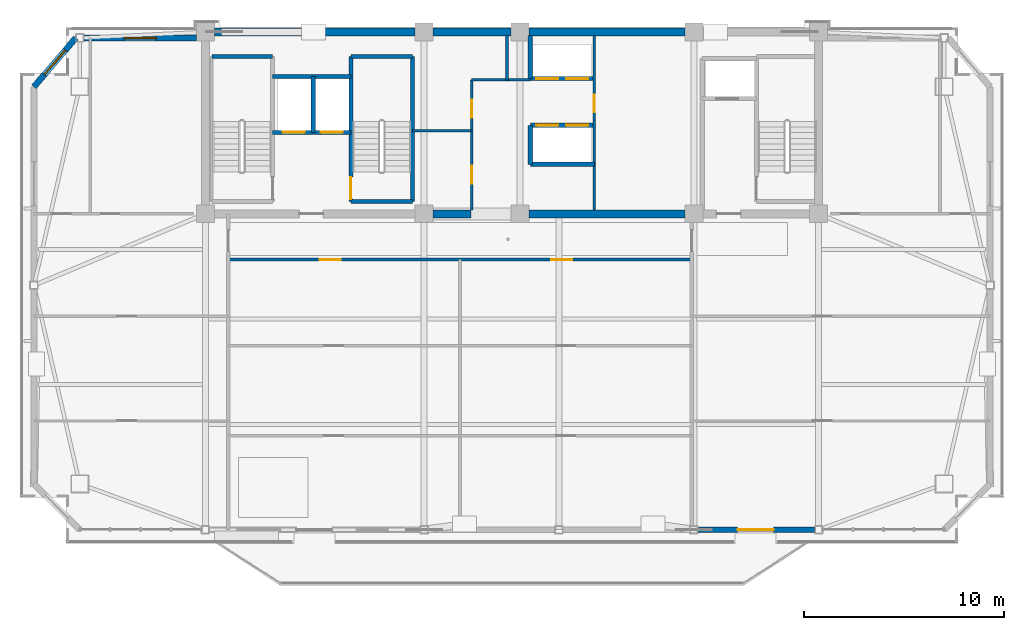
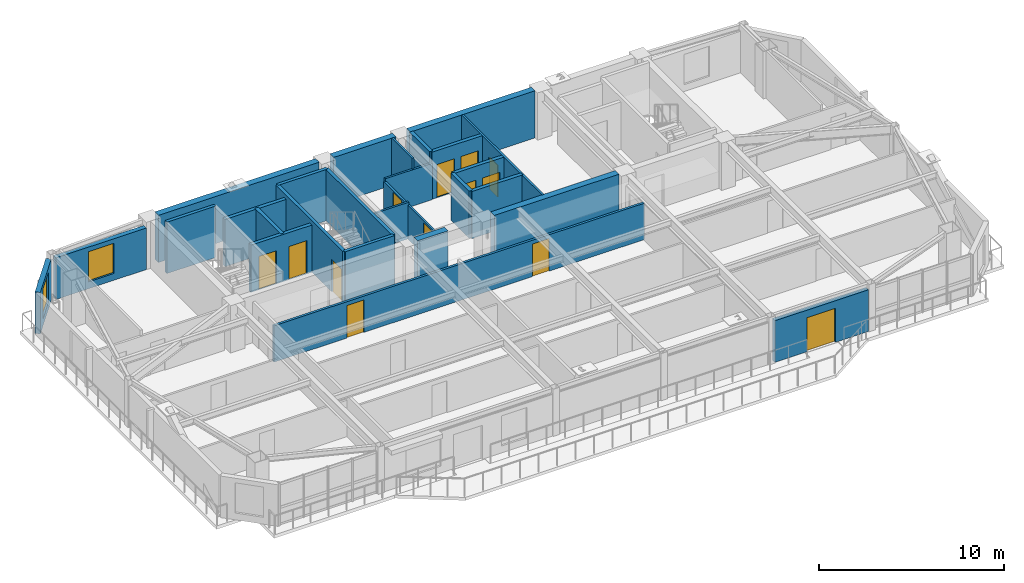
# One storey, part 7 of 13: 27 walls, 13 doors, 2 windows, 15 openings.
"""IFC4 building model written with IfcOpenShell, lengths in metres."""

from ifc_helpers import new_model, si_unit, direction, frame, frame_2d, origin, place, context, subcontext, project, spatial, rectangle, extrude, source, transform, mapped, material, layer, layer_set, type_object, element, fill, save


model = new_model("IFC4")

# Units and contexts
model_context = context("Model", 3, precision=1e-05, world=origin(), true_north=direction((0.0, 1.0)))
body_context = subcontext(model_context, "Body", "Model", "MODEL_VIEW")
ifc_project = project(units=[si_unit("LENGTHUNIT", "METRE"), si_unit("AREAUNIT", "SQUARE_METRE"), si_unit("VOLUMEUNIT", "CUBIC_METRE"), si_unit("PLANEANGLEUNIT", "RADIAN"), si_unit("MASSUNIT", "GRAM", prefix="KILO")], contexts=[model_context])

# Site, building, storey
site_placement = place(None, origin())
site = spatial("IfcSite", under=ifc_project, at=site_placement, CompositionType="ELEMENT")
building_placement = place(site_placement, origin())
building = spatial("IfcBuilding", under=site, at=building_placement, Name="Giltprow Tower", CompositionType="ELEMENT")
storey_placement = place(building_placement, frame((0.0, 0.0, 324.39990234375)))
storey = spatial("IfcBuildingStorey", under=building, at=storey_placement, Name="L84", CompositionType="ELEMENT", Elevation=324.39990234375)

# Wall, opening, window
ifc_material_1 = material(Name="Precast concrete C40", Category="concrete")
ifc_layer_1 = layer(ifc_material_1, 0.300048828125, Name="Precast concrete C40")
ifc_layer_set_1 = layer_set([ifc_layer_1], Name="Precast concrete C40")
wall_type_1 = type_object("IfcWallType", Name="EW-NOTCH-CHAMFER-300", PredefinedType="SOLIDWALL", material=ifc_layer_set_1)
wall_1_placement = place(storey_placement, frame((13.362060546875, 46.25, 0.0), z_axis=(0.0, 0.0, 1.0), x_axis=(-0.650610025707, -0.759412005732, 0.0)))
wall_1 = element("IfcWall", 1, at=wall_1_placement, inside=storey, type_object=wall_type_1, Name="L84 Corner Notch Wall NW", PredefinedType="SOLIDWALL", context=body_context, shape_type="SweptSolid", body=[
    extrude(rectangle(XDim=3.215576171875, YDim=0.300048828125, at=frame_2d((1.60791015625, 0.0))), origin(), (0.0, 0.0, 1.0), 2.75),
])
opening_1_placement = place(wall_1_placement, frame((0.80810546875, 0.0, 0.449951171875)))
opening_1 = element("IfcOpeningElement", 2, at=opening_1_placement, cuts=wall_1, Name="Opening WN17", PredefinedType="OPENING", context=body_context, shape_type="SweptSolid", body=[
    extrude(rectangle(XDim=1.60009765625, YDim=2.0, at=frame_2d((0.800048828125, 1.0))), frame((0.0, 0.159912109375, 0.0), z_axis=(0.0, -1.0, 0.0), x_axis=(1.0, 0.0, 0.0)), (0.0, 0.0, 1.0), 0.320068359375),
])
ifc_material_2 = material(Name="Insulated glass", Category="glass")
window_type = type_object("IfcWindowType", Name="WN-COR-1600x2000", PartitioningType="SINGLE_PANEL", PredefinedType="WINDOW", material=ifc_material_2)
shared_shape_1 = source(origin(), body_context, "Body", "SweptSolid", [
    extrude(rectangle(XDim=1.60009765625, YDim=2.0, at=frame_2d((0.800048828125, 1.0))), frame((0.0, 0.030029296875, 0.0), z_axis=(0.0, -1.0, 0.0), x_axis=(1.0, 0.0, 0.0)), (0.0, 0.0, 1.0), 0.06005859375),
])
window_1_placement = place(opening_1_placement, origin())
window_1 = element("IfcWindow", 3, at=window_1_placement, inside=storey, type_object=window_type, Name="L84 Corner Notch Window NW", OverallHeight=2.0, OverallWidth=1.60009765625, PartitioningType="SINGLE_PANEL", PredefinedType="WINDOW", context=body_context, shape_type="MappedRepresentation", body=[
    mapped(shared_shape_1, transform((0.0, 0.0, 0.0), x_axis=(1.0, 0.0, 0.0), y_axis=(0.0, 1.0, 0.0), z_axis=(0.0, 0.0, 1.0), scale=1.0)),
])
fill(opening_1, window_1)

# Wall, opening, door
ifc_layer_2 = layer(ifc_material_1, 0.280029296875, Name="Precast concrete C40")
ifc_layer_set_2 = layer_set([ifc_layer_2], Name="Precast concrete C40")
wall_type_2 = type_object("IfcWallType", Name="EW-TOW-BRONZE-280", PredefinedType="SOLIDWALL", material=ifc_layer_set_2)
wall_2_placement = place(storey_placement, frame((44.5, 21.635986328125, 0.0), z_axis=(0.0, 0.0, 1.0), x_axis=(1.0, 0.0, 0.0)))
wall_2 = element("IfcWall", 4, at=wall_2_placement, inside=storey, type_object=wall_type_2, Name="L84 South Expressed Frame Wall 5", PredefinedType="SOLIDWALL", context=body_context, shape_type="SweptSolid", body=[
    extrude(rectangle(XDim=5.85009765625, YDim=0.280029296875, at=frame_2d((2.925048828125, 0.0))), origin(), (0.0, 0.0, 1.0), 2.75),
])
opening_2_placement = place(wall_2_placement, frame((2.0, 0.0, 0.0)))
opening_2 = element("IfcOpeningElement", 5, at=opening_2_placement, cuts=wall_2, Name="Opening ED25", PredefinedType="OPENING", context=body_context, shape_type="SweptSolid", body=[
    extrude(rectangle(XDim=1.800048828125, YDim=2.25, at=frame_2d((0.89990234375, 1.125))), frame((0.0, 0.14990234375, 0.0), z_axis=(0.0, -1.0, 0.0), x_axis=(1.0, 0.0, 0.0)), (0.0, 0.0, 1.0), 0.300048828125),
])
ifc_material_3 = material(Name="Anodized bronze and glass", Category="glass")
door_type_1 = type_object("IfcDoorType", Name="DR-BALC-SLIDE-1800", OperationType="SLIDING_TO_LEFT", PredefinedType="DOOR", material=ifc_material_3)
shared_shape_2 = source(origin(), body_context, "Body", "SweptSolid", [
    extrude(rectangle(XDim=1.800048828125, YDim=2.25, at=frame_2d((0.89990234375, 1.125))), frame((0.0, 0.02490234375, 0.0), z_axis=(0.0, -1.0, 0.0), x_axis=(1.0, 0.0, 0.0)), (0.0, 0.0, 1.0), 0.050048828125),
])
door_1_placement = place(opening_2_placement, origin())
door_1 = element("IfcDoor", 6, at=door_1_placement, inside=storey, type_object=door_type_1, Name="L84 Waterfront Balcony Sliding Door 2", OperationType="SLIDING_TO_LEFT", OverallHeight=2.25, OverallWidth=1.800048828125, PredefinedType="DOOR", context=body_context, shape_type="MappedRepresentation", body=[
    mapped(shared_shape_2, transform((0.0, 0.0, 0.0), x_axis=(1.0, 0.0, 0.0), y_axis=(0.0, 1.0, 0.0), z_axis=(0.0, 0.0, 1.0), scale=1.0)),
])
fill(opening_2, door_1)

# Wall, opening, window
wall_3_placement = place(storey_placement, frame((13.761962890625, 46.25, 0.0), z_axis=(0.0, 0.0, 1.0), x_axis=(1.0, 0.0, 0.0)))
wall_3 = element("IfcWall", 7, at=wall_3_placement, inside=storey, type_object=wall_type_2, Name="L84 North-West Wing Wall", PredefinedType="SOLIDWALL", context=body_context, shape_type="SweptSolid", body=[
    extrude(rectangle(XDim=5.637939453125, YDim=0.280029296875, at=frame_2d((2.81884765625, 0.0))), origin(), (0.0, 0.0, 1.0), 2.75),
])
opening_3_placement = place(wall_3_placement, frame((2.01904296875, 0.0, 0.449951171875)))
opening_3 = element("IfcOpeningElement", 8, at=opening_3_placement, cuts=wall_3, Name="Opening WN17", PredefinedType="OPENING", context=body_context, shape_type="SweptSolid", body=[
    extrude(rectangle(XDim=1.60009765625, YDim=2.0, at=frame_2d((0.800048828125, 1.0))), frame((0.0, 0.14990234375, 0.0), z_axis=(0.0, -1.0, 0.0), x_axis=(1.0, 0.0, 0.0)), (0.0, 0.0, 1.0), 0.300048828125),
])
window_2_placement = place(opening_3_placement, origin())
window_2 = element("IfcWindow", 9, at=window_2_placement, inside=storey, type_object=window_type, Name="L84 North-West Window", OverallHeight=2.0, OverallWidth=1.60009765625, PartitioningType="SINGLE_PANEL", PredefinedType="WINDOW", context=body_context, shape_type="MappedRepresentation", body=[
    mapped(shared_shape_1, transform((0.0, 0.0, 0.0), x_axis=(1.0, 0.0, 0.0), y_axis=(0.0, 1.0, 0.0), z_axis=(0.0, 0.0, 1.0), scale=1.0)),
])
fill(opening_3, window_2)

# Wall, openings, doors
ifc_material_4 = material(Name="Gypsum stud partition", Category="gypsum")
ifc_layer_3 = layer(ifc_material_4, 0.14990234375, Name="Gypsum stud partition")
ifc_layer_set_3 = layer_set([ifc_layer_3], Name="Gypsum stud partition")
wall_type_3 = type_object("IfcWallType", Name="IW-CORR-150", PredefinedType="PARTITIONING", material=ifc_layer_set_3)
wall_4_placement = place(storey_placement, frame((21.0, 35.14990234375, 0.0), z_axis=(0.0, 0.0, 1.0), x_axis=(1.0, 0.0, 0.0)))
wall_4 = element("IfcWall", 10, at=wall_4_placement, inside=storey, type_object=wall_type_3, Name="L84 Residence Gallery Corridor Wall", PredefinedType="PARTITIONING", context=body_context, shape_type="SweptSolid", body=[
    extrude(rectangle(XDim=23.199951171875, YDim=0.14990234375, at=frame_2d((11.60009765625, 0.0))), origin(), (0.0, 0.0, 1.0), 2.405029296875),
])
opening_4_placement = place(wall_4_placement, frame((4.576904296875, 0.0, 0.0)))
opening_4 = element("IfcOpeningElement", 11, at=opening_4_placement, cuts=wall_4, Name="Opening ID31", PredefinedType="OPENING", context=body_context, shape_type="SweptSolid", body=[
    extrude(rectangle(XDim=1.050048828125, YDim=2.14990234375, at=frame_2d((0.52490234375, 1.074951171875))), frame((0.0, 0.0849609375, 0.0), z_axis=(0.0, -1.0, 0.0), x_axis=(1.0, 0.0, 0.0)), (0.0, 0.0, 1.0), 0.169921875),
])
opening_5_placement = place(wall_4_placement, frame((16.177001953125, 0.0, 0.0)))
opening_5 = element("IfcOpeningElement", 12, at=opening_5_placement, cuts=wall_4, Name="Opening ID31", PredefinedType="OPENING", context=body_context, shape_type="SweptSolid", body=[
    extrude(rectangle(XDim=1.050048828125, YDim=2.14990234375, at=frame_2d((0.52490234375, 1.074951171875))), frame((0.0, 0.0849609375, 0.0), z_axis=(0.0, -1.0, 0.0), x_axis=(1.0, 0.0, 0.0)), (0.0, 0.0, 1.0), 0.169921875),
])
ifc_material_5 = material(Name="Engineered timber", Category="wood")
door_type_2 = type_object("IfcDoorType", Name="DR-SUITE-1050", OperationType="SINGLE_SWING_LEFT", PredefinedType="DOOR", material=ifc_material_5)
shared_shape_3 = source(origin(), body_context, "Body", "SweptSolid", [
    extrude(rectangle(XDim=1.050048828125, YDim=2.14990234375, at=frame_2d((0.52490234375, 1.074951171875))), frame((0.0, 0.02490234375, 0.0), z_axis=(0.0, -1.0, 0.0), x_axis=(1.0, 0.0, 0.0)), (0.0, 0.0, 1.0), 0.050048828125),
])
door_2_placement = place(opening_4_placement, origin())
door_2 = element("IfcDoor", 13, at=door_2_placement, inside=storey, type_object=door_type_2, Name="L84 Residents Sky Club Lounge North Door", OperationType="SINGLE_SWING_LEFT", OverallHeight=2.14990234375, OverallWidth=1.050048828125, PredefinedType="DOOR", context=body_context, shape_type="MappedRepresentation", body=[
    mapped(shared_shape_3, transform((0.0, 0.0, 0.0), x_axis=(1.0, 0.0, 0.0), y_axis=(0.0, 1.0, 0.0), z_axis=(0.0, 0.0, 1.0), scale=1.0)),
])
fill(opening_4, door_2)
door_3_placement = place(opening_5_placement, origin())
door_3 = element("IfcDoor", 14, at=door_3_placement, inside=storey, type_object=door_type_2, Name="L84 Residents Sky Club Lounge North Door", OperationType="SINGLE_SWING_RIGHT", OverallHeight=2.14990234375, OverallWidth=1.050048828125, PredefinedType="DOOR", context=body_context, shape_type="MappedRepresentation", body=[
    mapped(shared_shape_3, transform((0.0, 0.0, 0.0), x_axis=(1.0, 0.0, 0.0), y_axis=(0.0, 1.0, 0.0), z_axis=(0.0, 0.0, 1.0), scale=1.0)),
])
fill(opening_5, door_3)

ifc_material_6 = material(Name="Concrete C40", Category="concrete")
ifc_layer_4 = layer(ifc_material_6, 0.219970703125, Name="Concrete C40")
ifc_layer_set_4 = layer_set([ifc_layer_4], Name="Concrete C40")
wall_type_4 = type_object("IfcWallType", Name="IW-SHAFT-220", PredefinedType="SOLIDWALL", material=ifc_layer_set_4)
wall_5_placement = place(storey_placement, frame((23.219970703125, 41.52001953125, 0.0), z_axis=(0.0, 0.0, 1.0), x_axis=(1.0, 0.0, 0.0)))
wall_5 = element("IfcWall", 15, at=wall_5_placement, inside=storey, type_object=wall_type_4, Name="L84 FFL1 and Service Lift Front Wall", PredefinedType="SOLIDWALL", context=body_context, shape_type="SweptSolid", body=[
    extrude(rectangle(XDim=3.919921875, YDim=0.219970703125, at=frame_2d((1.9599609375, 0.0))), origin(), (0.0, 0.0, 1.0), 3.1201171875),
])
opening_6_placement = place(wall_5_placement, frame((0.5, 0.0, 0.0)))
opening_6 = element("IfcOpeningElement", 16, at=opening_6_placement, cuts=wall_5, Name="Opening LD-11", PredefinedType="OPENING", context=body_context, shape_type="SweptSolid", body=[
    extrude(rectangle(XDim=1.10009765625, YDim=2.199951171875, at=frame_2d((0.550048828125, 1.10009765625))), frame((0.0, 0.119873046875, 0.0), z_axis=(0.0, -1.0, 0.0), x_axis=(1.0, 0.0, 0.0)), (0.0, 0.0, 1.0), 0.239990234375),
])
opening_7_placement = place(wall_5_placement, frame((2.39990234375, 0.0, 0.0)))
opening_7 = element("IfcOpeningElement", 17, at=opening_7_placement, cuts=wall_5, Name="Opening LD-11", PredefinedType="OPENING", context=body_context, shape_type="SweptSolid", body=[
    extrude(rectangle(XDim=1.10009765625, YDim=2.199951171875, at=frame_2d((0.550048828125, 1.10009765625))), frame((0.0, 0.119873046875, 0.0), z_axis=(0.0, -1.0, 0.0), x_axis=(1.0, 0.0, 0.0)), (0.0, 0.0, 1.0), 0.239990234375),
])
ifc_material_7 = material(Name="Stainless steel", Category="steel")
door_type_3 = type_object("IfcDoorType", Name="DR-LIFT-LD1100", OperationType="SLIDING_TO_LEFT", PredefinedType="DOOR", material=ifc_material_7)
shared_shape_4 = source(origin(), body_context, "Body", "SweptSolid", [
    extrude(rectangle(XDim=1.10009765625, YDim=2.199951171875, at=frame_2d((0.550048828125, 1.10009765625))), frame((0.0, 0.02490234375, 0.0), z_axis=(0.0, -1.0, 0.0), x_axis=(1.0, 0.0, 0.0)), (0.0, 0.0, 1.0), 0.050048828125),
])
door_4_placement = place(opening_6_placement, origin())
door_4 = element("IfcDoor", 18, at=door_4_placement, inside=storey, type_object=door_type_3, Name="L84 FFL1 Landing Door", OperationType="SLIDING_TO_LEFT", OverallHeight=2.199951171875, OverallWidth=1.10009765625, PredefinedType="DOOR", context=body_context, shape_type="MappedRepresentation", body=[
    mapped(shared_shape_4, transform((0.0, 0.0, 0.0), x_axis=(1.0, 0.0, 0.0), y_axis=(0.0, 1.0, 0.0), z_axis=(0.0, 0.0, 1.0), scale=1.0)),
])
fill(opening_6, door_4)
door_5_placement = place(opening_7_placement, origin())
door_5 = element("IfcDoor", 19, at=door_5_placement, inside=storey, type_object=door_type_3, Name="L84 SVL1 Landing Door", OperationType="SLIDING_TO_LEFT", OverallHeight=2.199951171875, OverallWidth=1.10009765625, PredefinedType="DOOR", context=body_context, shape_type="MappedRepresentation", body=[
    mapped(shared_shape_4, transform((0.0, 0.0, 0.0), x_axis=(1.0, 0.0, 0.0), y_axis=(0.0, 1.0, 0.0), z_axis=(0.0, 0.0, 1.0), scale=1.0)),
])
fill(opening_7, door_5)

# Walls
wall_6_placement = place(storey_placement, frame((25.260009765625, 41.52001953125, 0.0), z_axis=(0.0, 0.0, 1.0), x_axis=(0.0, 1.0, 0.0)))
element("IfcWall", 20, at=wall_6_placement, inside=storey, type_object=wall_type_4, Name="L84 FFL1-SVL1 Shaft Divider", PredefinedType="SOLIDWALL", context=body_context, shape_type="SweptSolid", body=[
    extrude(rectangle(XDim=2.800048828125, YDim=0.219970703125, at=frame_2d((1.39990234375, 0.0))), origin(), (0.0, 0.0, 1.0), 3.1201171875),
])
wall_7_placement = place(storey_placement, frame((23.219970703125, 44.320068359375, 0.0), z_axis=(0.0, 0.0, 1.0), x_axis=(1.0, 0.0, 0.0)))
element("IfcWall", 21, at=wall_7_placement, inside=storey, type_object=wall_type_4, Name="L84 FFL1-SVL1 Back Shaft Wall", PredefinedType="SOLIDWALL", context=body_context, shape_type="SweptSolid", body=[
    extrude(rectangle(XDim=3.919921875, YDim=0.219970703125, at=frame_2d((1.9599609375, 0.0))), origin(), (0.0, 0.0, 1.0), 3.1201171875),
])

# Wall, openings, doors
wall_8_placement = place(storey_placement, frame((36.1201171875, 44.219970703125, 0.0), z_axis=(0.0, 0.0, 1.0), x_axis=(1.0, 0.0, 0.0)))
wall_8 = element("IfcWall", 22, at=wall_8_placement, inside=storey, type_object=wall_type_4, Name="L84 High-Rise Lift Shaft Front Wall N", PredefinedType="SOLIDWALL", context=body_context, shape_type="SweptSolid", body=[
    extrude(rectangle(XDim=3.199951171875, YDim=0.219970703125, at=frame_2d((1.60009765625, 0.0))), origin(), (0.0, 0.0, 1.0), 3.1201171875),
])
opening_8_placement = place(wall_8_placement, frame((0.300048828125, 0.0, 0.0)))
opening_8 = element("IfcOpeningElement", 23, at=opening_8_placement, cuts=wall_8, Name="Opening LD-11", PredefinedType="OPENING", context=body_context, shape_type="SweptSolid", body=[
    extrude(rectangle(XDim=1.10009765625, YDim=2.199951171875, at=frame_2d((0.550048828125, 1.10009765625))), frame((0.0, 0.119873046875, 0.0), z_axis=(0.0, -1.0, 0.0), x_axis=(1.0, 0.0, 0.0)), (0.0, 0.0, 1.0), 0.239990234375),
])
opening_9_placement = place(wall_8_placement, frame((1.7900390625, 0.0, 0.0)))
opening_9 = element("IfcOpeningElement", 24, at=opening_9_placement, cuts=wall_8, Name="Opening LD-11", PredefinedType="OPENING", context=body_context, shape_type="SweptSolid", body=[
    extrude(rectangle(XDim=1.10009765625, YDim=2.199951171875, at=frame_2d((0.550048828125, 1.10009765625))), frame((0.0, 0.119873046875, 0.0), z_axis=(0.0, -1.0, 0.0), x_axis=(1.0, 0.0, 0.0)), (0.0, 0.0, 1.0), 0.239990234375),
])
door_6_placement = place(opening_8_placement, origin())
door_6 = element("IfcDoor", 25, at=door_6_placement, inside=storey, type_object=door_type_3, Name="L84 PL-H1 Landing Door", OperationType="SLIDING_TO_LEFT", OverallHeight=2.199951171875, OverallWidth=1.10009765625, PredefinedType="DOOR", context=body_context, shape_type="MappedRepresentation", body=[
    mapped(shared_shape_4, transform((0.0, 0.0, 0.0), x_axis=(1.0, 0.0, 0.0), y_axis=(0.0, 1.0, 0.0), z_axis=(0.0, 0.0, 1.0), scale=1.0)),
])
fill(opening_8, door_6)
door_7_placement = place(opening_9_placement, origin())
door_7 = element("IfcDoor", 26, at=door_7_placement, inside=storey, type_object=door_type_3, Name="L84 PL-H2 Landing Door", OperationType="SLIDING_TO_LEFT", OverallHeight=2.199951171875, OverallWidth=1.10009765625, PredefinedType="DOOR", context=body_context, shape_type="MappedRepresentation", body=[
    mapped(shared_shape_4, transform((0.0, 0.0, 0.0), x_axis=(1.0, 0.0, 0.0), y_axis=(0.0, 1.0, 0.0), z_axis=(0.0, 0.0, 1.0), scale=1.0)),
])
fill(opening_9, door_7)

wall_9_placement = place(storey_placement, frame((36.1201171875, 41.8798828125, 0.0), z_axis=(0.0, 0.0, 1.0), x_axis=(1.0, 0.0, 0.0)))
wall_9 = element("IfcWall", 27, at=wall_9_placement, inside=storey, type_object=wall_type_4, Name="L84 High-Rise Lift Shaft Front Wall S", PredefinedType="SOLIDWALL", context=body_context, shape_type="SweptSolid", body=[
    extrude(rectangle(XDim=3.199951171875, YDim=0.219970703125, at=frame_2d((1.60009765625, 0.0))), origin(), (0.0, 0.0, 1.0), 3.1201171875),
])
opening_10_placement = place(wall_9_placement, frame((0.300048828125, 0.0, 0.0)))
opening_10 = element("IfcOpeningElement", 28, at=opening_10_placement, cuts=wall_9, Name="Opening LD-11", PredefinedType="OPENING", context=body_context, shape_type="SweptSolid", body=[
    extrude(rectangle(XDim=1.10009765625, YDim=2.199951171875, at=frame_2d((0.550048828125, 1.10009765625))), frame((0.0, 0.119873046875, 0.0), z_axis=(0.0, -1.0, 0.0), x_axis=(1.0, 0.0, 0.0)), (0.0, 0.0, 1.0), 0.239990234375),
])
opening_11_placement = place(wall_9_placement, frame((1.7900390625, 0.0, 0.0)))
opening_11 = element("IfcOpeningElement", 29, at=opening_11_placement, cuts=wall_9, Name="Opening LD-11", PredefinedType="OPENING", context=body_context, shape_type="SweptSolid", body=[
    extrude(rectangle(XDim=1.10009765625, YDim=2.199951171875, at=frame_2d((0.550048828125, 1.10009765625))), frame((0.0, 0.119873046875, 0.0), z_axis=(0.0, -1.0, 0.0), x_axis=(1.0, 0.0, 0.0)), (0.0, 0.0, 1.0), 0.239990234375),
])
door_8_placement = place(opening_10_placement, origin())
door_8 = element("IfcDoor", 30, at=door_8_placement, inside=storey, type_object=door_type_3, Name="L84 PL-H3 Landing Door", OperationType="SLIDING_TO_LEFT", OverallHeight=2.199951171875, OverallWidth=1.10009765625, PredefinedType="DOOR", context=body_context, shape_type="MappedRepresentation", body=[
    mapped(shared_shape_4, transform((0.0, 0.0, 0.0), x_axis=(1.0, 0.0, 0.0), y_axis=(0.0, 1.0, 0.0), z_axis=(0.0, 0.0, 1.0), scale=1.0)),
])
fill(opening_10, door_8)
door_9_placement = place(opening_11_placement, origin())
door_9 = element("IfcDoor", 31, at=door_9_placement, inside=storey, type_object=door_type_3, Name="L84 PL-H4 Landing Door", OperationType="SLIDING_TO_LEFT", OverallHeight=2.199951171875, OverallWidth=1.10009765625, PredefinedType="DOOR", context=body_context, shape_type="MappedRepresentation", body=[
    mapped(shared_shape_4, transform((0.0, 0.0, 0.0), x_axis=(1.0, 0.0, 0.0), y_axis=(0.0, 1.0, 0.0), z_axis=(0.0, 0.0, 1.0), scale=1.0)),
])
fill(opening_11, door_9)

# Walls
wall_10_placement = place(storey_placement, frame((36.1201171875, 39.919921875, 0.0), z_axis=(0.0, 0.0, 1.0), x_axis=(1.0, 0.0, 0.0)))
element("IfcWall", 32, at=wall_10_placement, inside=storey, type_object=wall_type_4, Name="L84 High-Rise South Lift Back Wall", PredefinedType="SOLIDWALL", context=body_context, shape_type="SweptSolid", body=[
    extrude(rectangle(XDim=3.199951171875, YDim=0.219970703125, at=frame_2d((1.60009765625, 0.0))), origin(), (0.0, 0.0, 1.0), 3.1201171875),
])
wall_11_placement = place(storey_placement, frame((36.1201171875, 39.919921875, 0.0), z_axis=(0.0, 0.0, 1.0), x_axis=(0.0, 1.0, 0.0)))
element("IfcWall", 33, at=wall_11_placement, inside=storey, type_object=wall_type_4, Name="L84 High-Rise South Lift West Closure", PredefinedType="SOLIDWALL", context=body_context, shape_type="SweptSolid", body=[
    extrude(rectangle(XDim=1.9599609375, YDim=0.219970703125, at=frame_2d((0.97998046875, 0.0))), origin(), (0.0, 0.0, 1.0), 3.1201171875),
])
wall_12_placement = place(storey_placement, frame((36.1201171875, 44.219970703125, 0.0), z_axis=(0.0, 0.0, 1.0), x_axis=(0.0, 1.0, 0.0)))
element("IfcWall", 34, at=wall_12_placement, inside=storey, type_object=wall_type_4, Name="L84 High-Rise North Lift West Closure", PredefinedType="SOLIDWALL", context=body_context, shape_type="SweptSolid", body=[
    extrude(rectangle(XDim=2.150146484375, YDim=0.219970703125, at=frame_2d((1.0751953125, 0.0))), origin(), (0.0, 0.0, 1.0), 3.1201171875),
])
ifc_layer_5 = layer(ifc_material_6, 0.199951171875, Name="Concrete C40")
ifc_layer_set_5 = layer_set([ifc_layer_5], Name="Concrete C40")
wall_type_5 = type_object("IfcWallType", Name="IW-STAIR-200", PredefinedType="SOLIDWALL", material=ifc_layer_set_5)
wall_13_placement = place(storey_placement, frame((20.169921875, 45.320068359375, 0.0), z_axis=(0.0, 0.0, 1.0), x_axis=(1.0, 0.0, 0.0)))
element("IfcWall", 35, at=wall_13_placement, inside=storey, type_object=wall_type_5, Name="L84 Stair ST-1 North Bearing Wall", PredefinedType="SOLIDWALL", context=body_context, shape_type="SweptSolid", body=[
    extrude(rectangle(XDim=3.050048828125, YDim=0.199951171875, at=frame_2d((1.52490234375, 0.0))), origin(), (0.0, 0.0, 1.0), 3.400146484375),
])

# Wall, opening, door
wall_14_placement = place(storey_placement, frame((27.139892578125, 38.070068359375, 0.0), z_axis=(0.0, 0.0, 1.0), x_axis=(0.0, 1.0, 0.0)))
wall_14 = element("IfcWall", 36, at=wall_14_placement, inside=storey, type_object=wall_type_5, Name="L84 Stair ST-2 West Bearing Wall", PredefinedType="SOLIDWALL", context=body_context, shape_type="SweptSolid", body=[
    extrude(rectangle(XDim=7.25, YDim=0.199951171875, at=frame_2d((3.625, 0.0))), origin(), (0.0, 0.0, 1.0), 3.400146484375),
])
opening_12_placement = place(wall_14_placement, frame((0.110107421875, 0.0, 0.0)))
opening_12 = element("IfcOpeningElement", 37, at=opening_12_placement, cuts=wall_14, Name="Opening ID33", PredefinedType="OPENING", context=body_context, shape_type="SweptSolid", body=[
    extrude(rectangle(XDim=1.10009765625, YDim=2.14990234375, at=frame_2d((0.550048828125, 1.074951171875))), frame((0.0, 0.10986328125, 0.0), z_axis=(0.0, -1.0, 0.0), x_axis=(1.0, 0.0, 0.0)), (0.0, 0.0, 1.0), 0.219970703125),
])
ifc_material_8 = material(Name="Steel fire leaf", Category="steel")
door_type_4 = type_object("IfcDoorType", Name="DR-STAIR-1100", OperationType="SINGLE_SWING_LEFT", PredefinedType="DOOR", material=ifc_material_8)
shared_shape_5 = source(origin(), body_context, "Body", "SweptSolid", [
    extrude(rectangle(XDim=1.10009765625, YDim=2.14990234375, at=frame_2d((0.550048828125, 1.074951171875))), frame((0.0, 0.02490234375, 0.0), z_axis=(0.0, -1.0, 0.0), x_axis=(1.0, 0.0, 0.0)), (0.0, 0.0, 1.0), 0.050048828125),
])
door_10_placement = place(opening_12_placement, origin())
door_10 = element("IfcDoor", 38, at=door_10_placement, inside=storey, type_object=door_type_4, Name="L84 Stair ST-2 Fire Door", OperationType="SINGLE_SWING_LEFT", OverallHeight=2.14990234375, OverallWidth=1.10009765625, PredefinedType="DOOR", context=body_context, shape_type="MappedRepresentation", body=[
    mapped(shared_shape_5, transform((0.0, 0.0, 0.0), x_axis=(1.0, 0.0, 0.0), y_axis=(0.0, 1.0, 0.0), z_axis=(0.0, 0.0, 1.0), scale=1.0)),
])
fill(opening_12, door_10)

# Walls
wall_15_placement = place(storey_placement, frame((30.219970703125, 38.070068359375, 0.0), z_axis=(0.0, 0.0, 1.0), x_axis=(0.0, 1.0, 0.0)))
element("IfcWall", 39, at=wall_15_placement, inside=storey, type_object=wall_type_5, Name="L84 Stair ST-2 East Bearing Wall", PredefinedType="SOLIDWALL", context=body_context, shape_type="SweptSolid", body=[
    extrude(rectangle(XDim=7.25, YDim=0.199951171875, at=frame_2d((3.625, 0.0))), origin(), (0.0, 0.0, 1.0), 3.400146484375),
])
for number, where, z_axis, x_axis, name in (
    (40, (27.139892578125, 45.320068359375, 0.0), (0.0, 0.0, 1.0), (1.0, 0.0, 0.0), "L84 Stair ST-2 North Bearing Wall"),
    (41, (27.139892578125, 38.070068359375, 0.0), (0.0, 0.0, 1.0), (1.0, 0.0, 0.0), "L84 Stair ST-2 South Bearing Wall"),
):
    element("IfcWall", number, at=place(storey_placement, frame(where, z_axis=z_axis, x_axis=x_axis)), inside=storey, type_object=wall_type_5, Name=name, PredefinedType="SOLIDWALL", context=body_context, shape_type="SweptSolid", body=[
        extrude(rectangle(XDim=3.080078125, YDim=0.199951171875, at=frame_2d((1.5400390625, 0.0))), origin(), (0.0, 0.0, 1.0), 3.400146484375),
    ])

# Wall, openings, doors
ifc_material_9 = material(Name="Concrete C30", Category="concrete")
ifc_layer_6 = layer(ifc_material_9, 0.1298828125, Name="Concrete C30")
ifc_layer_set_6 = layer_set([ifc_layer_6], Name="Concrete C30")
wall_type_6 = type_object("IfcWallType", Name="IW-WET-130", PredefinedType="PARTITIONING", material=ifc_layer_set_6)
wall_16_placement = place(storey_placement, frame((33.179931640625, 37.6298828125, 0.0), z_axis=(0.0, 0.0, 1.0), x_axis=(0.0, 1.0, 0.0)))
wall_16 = element("IfcWall", 42, at=wall_16_placement, inside=storey, type_object=wall_type_6, Name="L84 Reclaimed West Core Wall", PredefinedType="PARTITIONING", context=body_context, shape_type="SweptSolid", body=[
    extrude(rectangle(XDim=6.52001953125, YDim=0.1298828125, at=frame_2d((3.260009765625, 0.0))), origin(), (0.0, 0.0, 1.0), 2.22021484375),
])
opening_13_placement = place(wall_16_placement, frame((1.320068359375, 0.0, 0.0)))
opening_13 = element("IfcOpeningElement", 43, at=opening_13_placement, cuts=wall_16, Name="Opening ID35", PredefinedType="OPENING", context=body_context, shape_type="SweptSolid", body=[
    extrude(rectangle(XDim=0.89990234375, YDim=2.10009765625, at=frame_2d((0.449951171875, 1.050048828125))), frame((0.0, 0.074951171875, 0.0), z_axis=(0.0, -1.0, 0.0), x_axis=(1.0, 0.0, 0.0)), (0.0, 0.0, 1.0), 0.14990234375),
])
opening_14_placement = place(wall_16_placement, frame((4.6201171875, 0.0, 0.0)))
opening_14 = element("IfcOpeningElement", 44, at=opening_14_placement, cuts=wall_16, Name="Opening ID35", PredefinedType="OPENING", context=body_context, shape_type="SweptSolid", body=[
    extrude(rectangle(XDim=0.89990234375, YDim=2.10009765625, at=frame_2d((0.449951171875, 1.050048828125))), frame((0.0, 0.074951171875, 0.0), z_axis=(0.0, -1.0, 0.0), x_axis=(1.0, 0.0, 0.0)), (0.0, 0.0, 1.0), 0.14990234375),
])
door_type_5 = type_object("IfcDoorType", Name="DR-SHAFT-900", OperationType="SINGLE_SWING_LEFT", PredefinedType="DOOR", material=ifc_material_8)
shared_shape_6 = source(origin(), body_context, "Body", "SweptSolid", [
    extrude(rectangle(XDim=0.89990234375, YDim=2.10009765625, at=frame_2d((0.449951171875, 1.050048828125))), frame((0.0, 0.02490234375, 0.0), z_axis=(0.0, -1.0, 0.0), x_axis=(1.0, 0.0, 0.0)), (0.0, 0.0, 1.0), 0.050048828125),
])
door_11_placement = place(opening_13_placement, origin())
door_11 = element("IfcDoor", 45, at=door_11_placement, inside=storey, type_object=door_type_5, Name="L84 Core Powder Room Door", OperationType="SINGLE_SWING_LEFT", OverallHeight=2.10009765625, OverallWidth=0.89990234375, PredefinedType="DOOR", context=body_context, shape_type="MappedRepresentation", body=[
    mapped(shared_shape_6, transform((0.0, 0.0, 0.0), x_axis=(1.0, 0.0, 0.0), y_axis=(0.0, 1.0, 0.0), z_axis=(0.0, 0.0, 1.0), scale=1.0)),
])
fill(opening_13, door_11)
door_12_placement = place(opening_14_placement, origin())
door_12 = element("IfcDoor", 46, at=door_12_placement, inside=storey, type_object=door_type_5, Name="L84 Core Valet Pantry Door", OperationType="SINGLE_SWING_RIGHT", OverallHeight=2.10009765625, OverallWidth=0.89990234375, PredefinedType="DOOR", context=body_context, shape_type="MappedRepresentation", body=[
    mapped(shared_shape_6, transform((0.0, 0.0, 0.0), x_axis=(1.0, 0.0, 0.0), y_axis=(0.0, 1.0, 0.0), z_axis=(0.0, 0.0, 1.0), scale=1.0)),
])
fill(opening_14, door_12)

# Walls
wall_17_placement = place(storey_placement, frame((34.949951171875, 44.14990234375, 0.0), z_axis=(0.0, 0.0, 1.0), x_axis=(0.0, 1.0, 0.0)))
element("IfcWall", 47, at=wall_17_placement, inside=storey, type_object=wall_type_6, Name="L84 Reclaimed West Pocket Wall E", PredefinedType="PARTITIONING", context=body_context, shape_type="SweptSolid", body=[
    extrude(rectangle(XDim=2.22021484375, YDim=0.1298828125, at=frame_2d((1.110107421875, 0.0))), origin(), (0.0, 0.0, 1.0), 3.1201171875),
])
wall_18_placement = place(storey_placement, frame((33.179931640625, 44.14990234375, 0.0), z_axis=(0.0, 0.0, 1.0), x_axis=(1.0, 0.0, 0.0)))
element("IfcWall", 48, at=wall_18_placement, inside=storey, type_object=wall_type_6, Name="L84 Reclaimed West Pocket Wall S", PredefinedType="PARTITIONING", context=body_context, shape_type="SweptSolid", body=[
    extrude(rectangle(XDim=2.940185546875, YDim=0.1298828125, at=frame_2d((1.47021484375, 0.0))), origin(), (0.0, 0.0, 1.0), 2.405029296875),
])

# Wall, opening, door
wall_19_placement = place(storey_placement, frame((39.320068359375, 37.6298828125, 0.0), z_axis=(0.0, 0.0, 1.0), x_axis=(0.0, 1.0, 0.0)))
wall_19 = element("IfcWall", 49, at=wall_19_placement, inside=storey, type_object=wall_type_6, Name="L84 Reclaimed East Core Wall", PredefinedType="PARTITIONING", context=body_context, shape_type="SweptSolid", body=[
    extrude(rectangle(XDim=8.740234375, YDim=0.1298828125, at=frame_2d((4.3701171875, 0.0))), origin(), (0.0, 0.0, 1.0), 3.1201171875),
])
opening_15_placement = place(wall_19_placement, frame((4.889892578125, 0.0, 0.0)))
opening_15 = element("IfcOpeningElement", 50, at=opening_15_placement, cuts=wall_19, Name="Opening ID35", PredefinedType="OPENING", context=body_context, shape_type="SweptSolid", body=[
    extrude(rectangle(XDim=0.89990234375, YDim=2.10009765625, at=frame_2d((0.449951171875, 1.050048828125))), frame((0.0, 0.074951171875, 0.0), z_axis=(0.0, -1.0, 0.0), x_axis=(1.0, 0.0, 0.0)), (0.0, 0.0, 1.0), 0.14990234375),
])
door_13_placement = place(opening_15_placement, origin())
door_13 = element("IfcDoor", 51, at=door_13_placement, inside=storey, type_object=door_type_5, Name="L84 Core Cold Delivery Store Door", OperationType="SINGLE_SWING_LEFT", OverallHeight=2.10009765625, OverallWidth=0.89990234375, PredefinedType="DOOR", context=body_context, shape_type="MappedRepresentation", body=[
    mapped(shared_shape_6, transform((0.0, 0.0, 0.0), x_axis=(1.0, 0.0, 0.0), y_axis=(0.0, 1.0, 0.0), z_axis=(0.0, 0.0, 1.0), scale=1.0)),
])
fill(opening_15, door_13)

# Walls
wall_20_placement = place(storey_placement, frame((30.219970703125, 41.60009765625, 0.0), z_axis=(0.0, 0.0, 1.0), x_axis=(1.0, 0.0, 0.0)))
element("IfcWall", 52, at=wall_20_placement, inside=storey, type_object=wall_type_6, Name="L84 West Core Split", PredefinedType="PARTITIONING", context=body_context, shape_type="SweptSolid", body=[
    extrude(rectangle(XDim=2.9599609375, YDim=0.1298828125, at=frame_2d((1.47998046875, 0.0))), origin(), (0.0, 0.0, 1.0), 2.405029296875),
])
ifc_material_10 = material(Name="Concrete C45", Category="concrete")
ifc_layer_7 = layer(ifc_material_10, 0.39990234375, Name="Concrete C45")
ifc_layer_set_7 = layer_set([ifc_layer_7], Name="Concrete C45")
wall_type_7 = type_object("IfcWallType", Name="SW-EXT-400-C45", PredefinedType="SHEAR", material=ifc_layer_set_7)
wall_21_placement = place(storey_placement, frame((20.300048828125, 46.550048828125, 0.0), z_axis=(0.0, 0.0, 1.0), x_axis=(1.0, 0.0, 0.0)))
element("IfcWall", 53, at=wall_21_placement, inside=storey, type_object=wall_type_7, Name="L84 North Rear Core Shear Wall 1", PredefinedType="SHEAR", context=body_context, shape_type="SweptSolid", body=[
    extrude(rectangle(XDim=10.050048828125, YDim=0.39990234375, at=frame_2d((5.02490234375, 0.0))), origin(), (0.0, 0.0, 1.0), 3.1201171875),
])
wall_22_placement = place(storey_placement, frame((31.25, 46.550048828125, 0.0), z_axis=(0.0, 0.0, 1.0), x_axis=(1.0, 0.0, 0.0)))
element("IfcWall", 54, at=wall_22_placement, inside=storey, type_object=wall_type_7, Name="L84 North Rear Core Shear Wall 2", PredefinedType="SHEAR", context=body_context, shape_type="SweptSolid", body=[
    extrude(rectangle(XDim=3.89990234375, YDim=0.39990234375, at=frame_2d((1.949951171875, 0.0))), origin(), (0.0, 0.0, 1.0), 3.1201171875),
])
wall_23_placement = place(storey_placement, frame((36.050048828125, 46.550048828125, 0.0), z_axis=(0.0, 0.0, 1.0), x_axis=(1.0, 0.0, 0.0)))
element("IfcWall", 55, at=wall_23_placement, inside=storey, type_object=wall_type_7, Name="L84 North Rear Core Shear Wall 3", PredefinedType="SHEAR", context=body_context, shape_type="SweptSolid", body=[
    extrude(rectangle(XDim=7.800048828125, YDim=0.39990234375, at=frame_2d((3.89990234375, 0.0))), origin(), (0.0, 0.0, 1.0), 3.1201171875),
])
ifc_layer_8 = layer(ifc_material_10, 0.39990234375, Name="Concrete C45")
ifc_layer_set_8 = layer_set([ifc_layer_8], Name="Concrete C45")
wall_type_8 = type_object("IfcWallType", Name="SW-INT-400-C45", PredefinedType="SHEAR", material=ifc_layer_set_8)
wall_24_placement = place(storey_placement, frame((31.25, 37.449951171875, 0.0), z_axis=(0.0, 0.0, 1.0), x_axis=(1.0, 0.0, 0.0)))
element("IfcWall", 56, at=wall_24_placement, inside=storey, type_object=wall_type_8, Name="L84 South Rear Core Shear Wall Mid-West", PredefinedType="SHEAR", context=body_context, shape_type="SweptSolid", body=[
    extrude(rectangle(XDim=1.89990234375, YDim=0.39990234375, at=frame_2d((0.949951171875, 0.0))), origin(), (0.0, 0.0, 1.0), 3.1201171875),
])
wall_25_placement = place(storey_placement, frame((36.050048828125, 37.449951171875, 0.0), z_axis=(0.0, 0.0, 1.0), x_axis=(1.0, 0.0, 0.0)))
element("IfcWall", 57, at=wall_25_placement, inside=storey, type_object=wall_type_8, Name="L84 South Rear Core Shear Wall Mid-East", PredefinedType="SHEAR", context=body_context, shape_type="SweptSolid", body=[
    extrude(rectangle(XDim=7.800048828125, YDim=0.39990234375, at=frame_2d((3.89990234375, 0.0))), origin(), (0.0, 0.0, 1.0), 3.1201171875),
])

save(model, "model.ifc")
